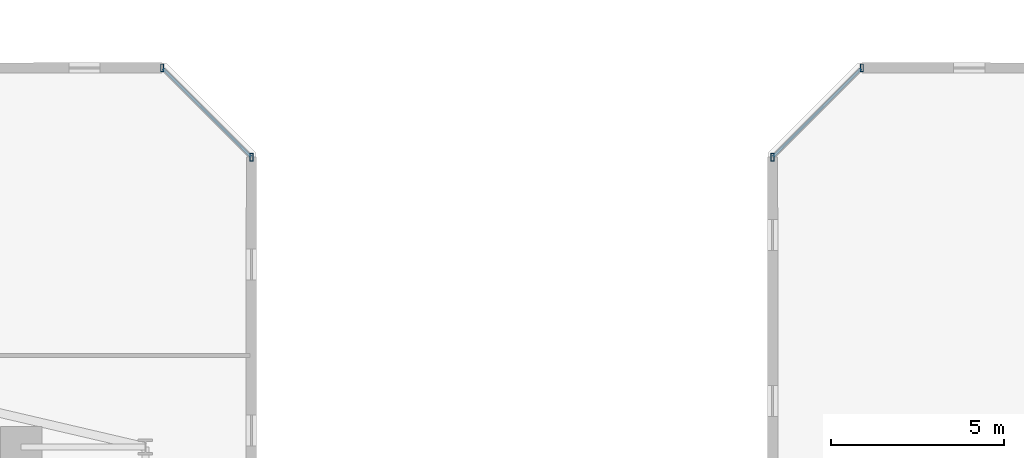
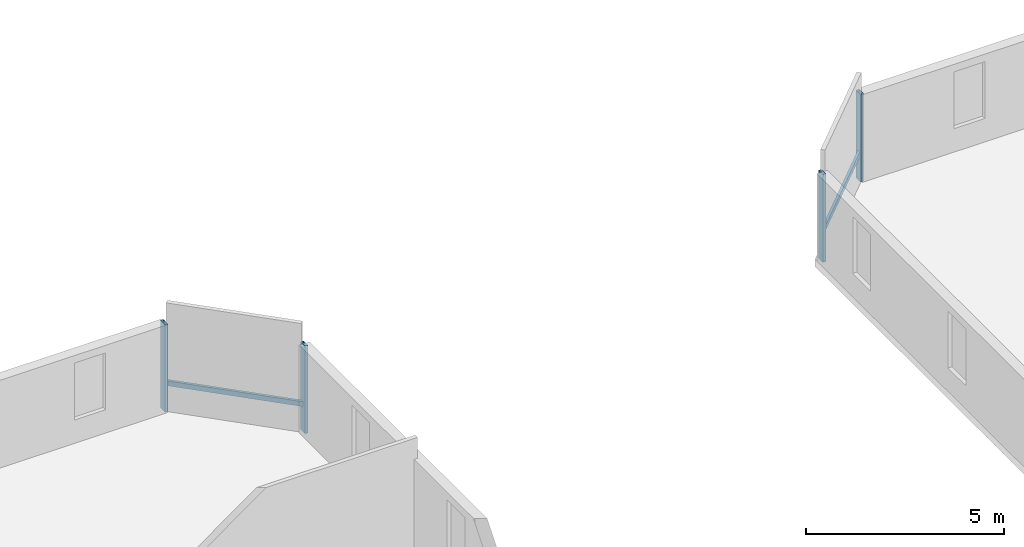
# One storey, part 10 of 31: 6 members, 2 elements without a shape of their own.
"""IFC4 building model written with IfcOpenShell, lengths in metres."""

import ifcopenshell
import ifcopenshell.guid

model = None  # the IFC model being written
_history = None  # IfcOwnerHistory: only IFC2X3 demands one
_inside = {}  # id of a spatial element -> (the spatial element, [elements in it])
_under = {}  # id of a project, library or spatial element -> (it, [spatial elements below it])
_declared = {}  # id of a project -> (the project, [libraries it declares])
_typed = {}  # id of a type object -> (the type object, [elements of that type])
_made_of = {}  # id of a material, layer set ... -> (it, [elements and type objects made of it])


def new_model(schema):
    """Start an empty IFC model of exactly this schema.

    Asked for "IFC4X3", IfcOpenShell would pick the latest addendum, in which some entities
    have other attributes; the version numbers below select the first issue.
    IFC2X3 requires an IfcOwnerHistory on every rooted entity: one is made here for all.
    """
    global model, _history
    if schema == "IFC4X3":
        model = ifcopenshell.file(schema_version=(4, 3, 0, 0))
    else:
        model = ifcopenshell.file(schema=schema)
    _inside.clear()
    _under.clear()
    _declared.clear()
    _typed.clear()
    _made_of.clear()
    _history = None
    if model.schema == "IFC2X3":
        org = make("IfcOrganization", Name="unknown")
        user = make(
            "IfcPersonAndOrganization",
            ThePerson=make("IfcPerson", FamilyName="unknown"),
            TheOrganization=org,
        )
        app = make(
            "IfcApplication",
            ApplicationDeveloper=org,
            Version="unknown",
            ApplicationFullName="unknown",
            ApplicationIdentifier="unknown",
        )
        _history = make(
            "IfcOwnerHistory",
            OwningUser=user,
            OwningApplication=app,
            ChangeAction="ADDED",
            CreationDate=0,
        )
    return model


def make(cls, **values):
    """One entity of the class cls with the attributes given. An attribute that is None is left unset."""
    return model.create_entity(
        cls, **{name: value for name, value in values.items() if value is not None}
    )


def rooted(cls, **values):
    """An entity with a GlobalId (a new one), such as an element, a storey or a relation."""
    return make(cls, GlobalId=ifcopenshell.guid.new(), OwnerHistory=_history, **values)


def si_unit(unit_type, name, prefix=None):
    """IfcSIUnit, for example si_unit("LENGTHUNIT", "METRE", prefix="MILLI")."""
    return make("IfcSIUnit", UnitType=unit_type, Prefix=prefix, Name=name)


def assignment(units):
    """IfcUnitAssignment: the units of a project."""
    return None if units is None else make("IfcUnitAssignment", Units=units)


def point(xyz):
    """IfcCartesianPoint."""
    return None if xyz is None else make("IfcCartesianPoint", Coordinates=xyz)


def direction(xyz):
    """IfcDirection."""
    return None if xyz is None else make("IfcDirection", DirectionRatios=xyz)


def frame(location, z_axis=None, x_axis=None):
    """IfcAxis2Placement3D, a coordinate frame: its origin and axes. An axis left out is left unset."""
    return make(
        "IfcAxis2Placement3D",
        Location=point(location),
        Axis=direction(z_axis),
        RefDirection=direction(x_axis),
    )


def frame_2d(location, x_axis=None):
    """IfcAxis2Placement2D, a coordinate frame in the plane: its origin and x axis."""
    return make(
        "IfcAxis2Placement2D", Location=point(location), RefDirection=direction(x_axis)
    )


def origin():
    """The frame at (0, 0, 0) with its axes left unset."""
    return frame((0.0, 0.0, 0.0))


def origin_2d():
    """The frame at (0, 0) in the plane with its x axis left unset."""
    return frame_2d((0.0, 0.0))


def place(relative_to, where):
    """IfcLocalPlacement: puts the frame where relative to a parent placement (None: the world)."""
    return make(
        "IfcLocalPlacement", PlacementRelTo=relative_to, RelativePlacement=where
    )


def context(
    kind, dimensions, precision=None, world=None, true_north=None, identifier=None
):
    """IfcGeometricRepresentationContext, for example the 3D "Model" context."""
    return make(
        "IfcGeometricRepresentationContext",
        ContextIdentifier=identifier,
        ContextType=kind,
        CoordinateSpaceDimension=dimensions,
        Precision=precision,
        WorldCoordinateSystem=world,
        TrueNorth=true_north,
    )


def subcontext(parent, identifier, kind, view, scale=None):
    """IfcGeometricRepresentationSubContext, for example "Body" below "Model"."""
    return make(
        "IfcGeometricRepresentationSubContext",
        ContextIdentifier=identifier,
        ContextType=kind,
        ParentContext=parent,
        TargetScale=scale,
        TargetView=view,
    )


def project(units=None, contexts=None):
    """IfcProject with its units and contexts."""
    return rooted(
        "IfcProject",
        Name="project",
        RepresentationContexts=contexts,
        UnitsInContext=assignment(units),
    )


def spatial(cls, under=None, at=None, **own):
    """A site, building, storey or space (cls), placed at a placement, below another one or the project."""
    s = rooted(cls, ObjectPlacement=at, **own)
    if under is not None:
        _under.setdefault(under.id(), (under, []))[1].append(s)
    return s


def profile(cls, at=None, kind="AREA", **sizes):
    """A parametric profile (cls). Its sizes go by their IFC names, for example OverallWidth=200.0."""
    return make(cls, ProfileType=kind, Position=at, **sizes)


def hollow_rectangle(**sizes):
    """IfcRectangleHollowProfileDef."""
    return profile("IfcRectangleHollowProfileDef", **sizes)


def extrude(swept, where, along, depth):
    """IfcExtrudedAreaSolid: the profile swept, set in the frame where, extruded along a direction by depth."""
    return make(
        "IfcExtrudedAreaSolid",
        SweptArea=swept,
        Position=where,
        ExtrudedDirection=direction(along),
        Depth=depth,
    )


def shape(context_of_items, identifier, shape_type, items):
    """IfcShapeRepresentation: the items that make up one representation, for example the "Body"."""
    return make(
        "IfcShapeRepresentation",
        ContextOfItems=context_of_items,
        RepresentationIdentifier=identifier,
        RepresentationType=shape_type,
        Items=items,
    )


def material(Name=None, Category=None):
    """IfcMaterial."""
    return make("IfcMaterial", Name=Name, Category=Category)


def material_profile(
    of_material, cross_section, Name=None, Category=None, Priority=None
):
    """IfcMaterialProfile: a cross section and its material."""
    return make(
        "IfcMaterialProfile",
        Name=Name,
        Material=of_material,
        Profile=cross_section,
        Priority=Priority,
        Category=Category,
    )


def profile_set(profiles, Name=None, composite=None):
    """IfcMaterialProfileSet."""
    return make(
        "IfcMaterialProfileSet",
        Name=Name,
        MaterialProfiles=profiles,
        CompositeProfile=composite,
    )


def made_of(thing, what):
    """Note that an element or type object is made of a material, layer set ...; save() writes the relation."""
    if what is not None:
        _made_of.setdefault(what.id(), (what, []))[1].append(thing)
    return thing


def type_object(cls, material=None, **own):
    """A type object (cls), such as IfcWallType, which elements share."""
    return made_of(rooted(cls, **own), material)


def element(
    cls,
    number,
    at=None,
    inside=None,
    cuts=None,
    type_object=None,
    material=None,
    context=None,
    identifier="Body",
    shape_type=None,
    held_by="IfcProductDefinitionShape",
    body=None,
    shapes=None,
    **own,
):
    """One element of the class cls, such as IfcWall. Its Tag is "e" and its number.

    at: its placement. inside: the storey or other place that contains it. cuts: it is an
    opening in that element (IfcRelVoidsElement). A single representation is given by context,
    identifier, shape_type and body (its items); several are given by shapes. held_by: the class
    of the entity that holds the representations. save() writes the other relations.
    """
    e = rooted(cls, Tag="e%d" % number, ObjectPlacement=at, **own)
    if body is not None:
        shapes = [shape(context, identifier, shape_type, body)]
    if shapes is not None:
        e.Representation = make(held_by, Representations=shapes)
    if inside is not None:
        _inside.setdefault(inside.id(), (inside, []))[1].append(e)
    if cuts is not None:
        rooted(
            "IfcRelVoidsElement", RelatingBuildingElement=cuts, RelatedOpeningElement=e
        )
    if type_object is not None:
        _typed.setdefault(type_object.id(), (type_object, []))[1].append(e)
    return made_of(e, material)


def aggregate(whole, parts):
    """IfcRelAggregates: a whole, such as a stair, and the parts it consists of."""
    return rooted("IfcRelAggregates", RelatingObject=whole, RelatedObjects=parts)


def save(model, path):
    """Write the relations noted so far, then the file.

    IfcRelAggregates (storeys below a building ...), IfcRelContainedInSpatialStructure (elements
    in a storey), IfcRelDefinesByType, IfcRelAssociatesMaterial and IfcRelDeclares: one each for
    every whole, place, type object, material and project.
    """
    for whole, parts in _under.values():
        aggregate(whole, parts)
    for where, things in _inside.values():
        rooted(
            "IfcRelContainedInSpatialStructure",
            RelatedElements=things,
            RelatingStructure=where,
        )
    for kind, things in _typed.values():
        rooted("IfcRelDefinesByType", RelatedObjects=things, RelatingType=kind)
    for what, things in _made_of.values():
        rooted("IfcRelAssociatesMaterial", RelatedObjects=things, RelatingMaterial=what)
    for by, libraries in _declared.values():
        rooted("IfcRelDeclares", RelatingContext=by, RelatedDefinitions=libraries)
    model.write(path)


model = new_model("IFC4")

# Units and contexts
model_context = context("Model", 3, precision=1e-05, world=origin(), true_north=direction((0.0, 1.0)))
body_context = subcontext(model_context, "Body", "Model", "MODEL_VIEW")
ifc_project = project(units=[si_unit("LENGTHUNIT", "METRE"), si_unit("AREAUNIT", "SQUARE_METRE"), si_unit("VOLUMEUNIT", "CUBIC_METRE"), si_unit("PLANEANGLEUNIT", "RADIAN"), si_unit("MASSUNIT", "GRAM", prefix="KILO")], contexts=[model_context])

# Site, building, storey
site_placement = place(None, origin())
site = spatial("IfcSite", under=ifc_project, at=site_placement, CompositionType="ELEMENT")
building_placement = place(site_placement, origin())
building = spatial("IfcBuilding", under=site, at=building_placement, Name="Thornwick Lancets Civic Towers", CompositionType="ELEMENT")
storey_placement = place(building_placement, frame((0.0, 0.0, 87.300048828125)))
storey = spatial("IfcBuildingStorey", under=building, at=storey_placement, Name="L22", CompositionType="ELEMENT", Elevation=87.300048828125)

# Curtain wall, members
ifc_material_1 = material(Name="Low-zone chamfered-corner unitised glass curtain wall", Category="glass")
curtain_wall_type = type_object("IfcCurtainWallType", Name="CW_SYS_03", PredefinedType="NOTDEFINED", material=ifc_material_1)
curtain_wall_1_placement = place(storey_placement, origin())
curtain_wall_1 = element("IfcCurtainWall", 1, at=curtain_wall_1_placement, inside=storey, type_object=curtain_wall_type, Name="L22 Curtain Wall CW-L22-A-E3", PredefinedType="NOTDEFINED")
ifc_material_2 = material(Name="Thermally broken bronze aluminium S355", Category="steel")
ifc_material_profile_1 = material_profile(ifc_material_2, hollow_rectangle(XDim=0.090087890625, YDim=0.219970703125, WallThickness=0.00634765625, at=origin_2d()), Name="RHS 220x90x6.3")
ifc_profile_set_1 = profile_set([ifc_material_profile_1], Name="Thermally broken bronze aluminium S355")
member_type_1 = type_object("IfcMemberType", Name="CW_MUL_220", PredefinedType="MULLION", material=ifc_profile_set_1)
member_1_placement = place(storey_placement, frame((49.464599609375, 48.38134765625, 0.0), z_axis=(0.0, 0.0, 1.0), x_axis=(1.0, 0.0, 0.0)))
member_1 = element("IfcMember", 2, at=member_1_placement, type_object=member_type_1, Name="CW-L22-A-E3 Mullion 0", PredefinedType="MULLION", context=body_context, shape_type="SweptSolid", body=[
    extrude(hollow_rectangle(XDim=0.090087890625, YDim=0.219970703125, WallThickness=0.00634765625, at=origin_2d()), origin(), (0.0, 0.0, 1.0), 2.699951171875),
])
member_2_placement = place(storey_placement, frame((46.88134765625, 50.964599609375, 0.0), z_axis=(0.0, 0.0, 1.0), x_axis=(1.0, 0.0, 0.0)))
member_2 = element("IfcMember", 3, at=member_2_placement, type_object=member_type_1, Name="CW-L22-A-E3 Mullion 1", PredefinedType="MULLION", context=body_context, shape_type="SweptSolid", body=[
    extrude(hollow_rectangle(XDim=0.090087890625, YDim=0.219970703125, WallThickness=0.00634765625, at=origin_2d()), origin(), (0.0, 0.0, 1.0), 2.699951171875),
])

curtain_wall_2_placement = place(storey_placement, origin())
curtain_wall_2 = element("IfcCurtainWall", 4, at=curtain_wall_2_placement, inside=storey, type_object=curtain_wall_type, Name="L22 Curtain Wall CW-L22-B-E5", PredefinedType="NOTDEFINED")
member_3_placement = place(storey_placement, frame((67.11865234375, 50.964599609375, 0.0), z_axis=(0.0, 0.0, 1.0), x_axis=(1.0, 0.0, 0.0)))
member_3 = element("IfcMember", 5, at=member_3_placement, type_object=member_type_1, Name="CW-L22-B-E5 Mullion 0", PredefinedType="MULLION", context=body_context, shape_type="SweptSolid", body=[
    extrude(hollow_rectangle(XDim=0.090087890625, YDim=0.219970703125, WallThickness=0.00634765625, at=origin_2d()), origin(), (0.0, 0.0, 1.0), 2.699951171875),
])
member_4_placement = place(storey_placement, frame((64.535400390625, 48.38134765625, 0.0), z_axis=(0.0, 0.0, 1.0), x_axis=(1.0, 0.0, 0.0)))
member_4 = element("IfcMember", 6, at=member_4_placement, type_object=member_type_1, Name="CW-L22-B-E5 Mullion 1", PredefinedType="MULLION", context=body_context, shape_type="SweptSolid", body=[
    extrude(hollow_rectangle(XDim=0.090087890625, YDim=0.219970703125, WallThickness=0.00634765625, at=origin_2d()), origin(), (0.0, 0.0, 1.0), 2.699951171875),
])

# Member
ifc_material_profile_2 = material_profile(ifc_material_2, hollow_rectangle(XDim=0.074951171875, YDim=0.14990234375, WallThickness=0.0048828125, at=origin_2d()), Name="RHS 150x75x5")
ifc_profile_set_2 = profile_set([ifc_material_profile_2], Name="Thermally broken bronze aluminium S355")
member_type_2 = type_object("IfcMemberType", Name="CW_TRN_150", PredefinedType="USERDEFINED", material=ifc_profile_set_2)
member_5_placement = place(storey_placement, frame((49.45068359375, 48.3955078125, 0.849853515625), z_axis=(-0.707106781187, 0.707106781187, 0.0), x_axis=(-0.707106781187, -0.707106781187, 0.0)))
member_5 = element("IfcMember", 7, at=member_5_placement, type_object=member_type_2, Name="CW-L22-A-E3 Transom 0", ObjectType="TRANSOM", PredefinedType="USERDEFINED", context=body_context, shape_type="SweptSolid", body=[
    extrude(hollow_rectangle(XDim=0.074951171875, YDim=0.14990234375, WallThickness=0.0048828125, at=origin_2d()), origin(), (0.0, 0.0, 1.0), 3.613525390625),
])

aggregate(curtain_wall_1, [member_1, member_2, member_5])

member_6_placement = place(storey_placement, frame((67.1044921875, 50.95068359375, 0.849853515625), z_axis=(-0.707106781187, -0.707106781187, 0.0), x_axis=(0.707106781187, -0.707106781187, 0.0)))
member_6 = element("IfcMember", 8, at=member_6_placement, type_object=member_type_2, Name="CW-L22-B-E5 Transom 0", ObjectType="TRANSOM", PredefinedType="USERDEFINED", context=body_context, shape_type="SweptSolid", body=[
    extrude(hollow_rectangle(XDim=0.074951171875, YDim=0.14990234375, WallThickness=0.0048828125, at=origin_2d()), origin(), (0.0, 0.0, 1.0), 3.613525390625),
])

aggregate(curtain_wall_2, [member_3, member_4, member_6])

save(model, "model.ifc")
